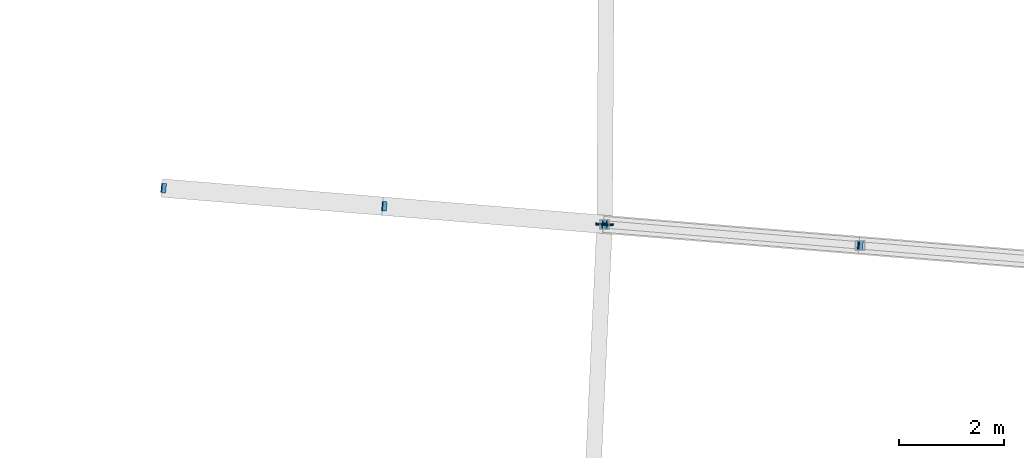
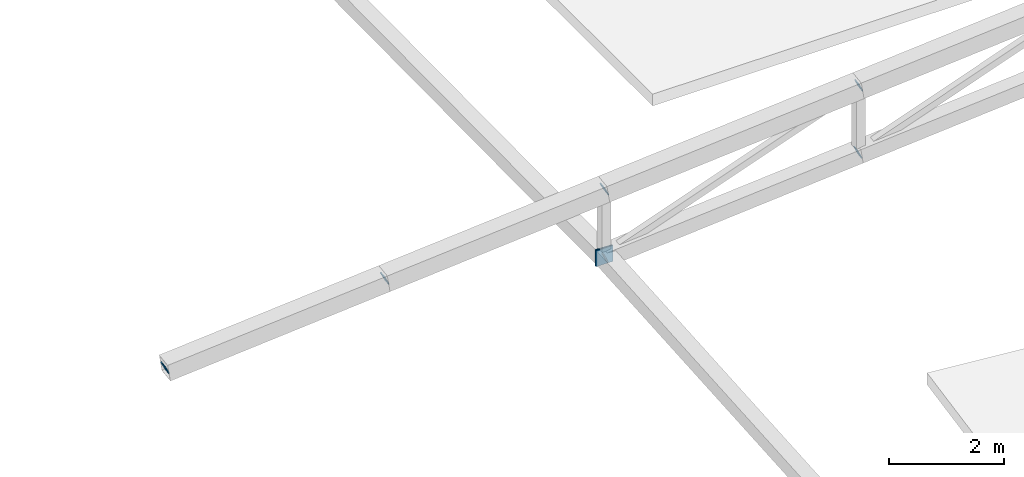
# One storey, part 147 of 188: 8 discrete accessories.
"""IFC4 building model written with IfcOpenShell, lengths in metres."""

from ifc_helpers import new_model, si_unit, direction, frame, origin, origin_2d, place, context, subcontext, project, spatial, rectangle, extrude, material, material_profile, profile_set, type_object, element, save


model = new_model("IFC4")

# Units and contexts
model_context = context("Model", 3, precision=1e-05, world=origin(), true_north=direction((0.0, 1.0)))
body_context = subcontext(model_context, "Body", "Model", "MODEL_VIEW")
ifc_project = project(units=[si_unit("LENGTHUNIT", "METRE"), si_unit("AREAUNIT", "SQUARE_METRE"), si_unit("VOLUMEUNIT", "CUBIC_METRE"), si_unit("PLANEANGLEUNIT", "RADIAN"), si_unit("MASSUNIT", "GRAM", prefix="KILO")], contexts=[model_context])

# Site, building, storey
site_placement = place(None, origin())
site = spatial("IfcSite", under=ifc_project, at=site_placement, CompositionType="ELEMENT")
building_placement = place(site_placement, origin())
building = spatial("IfcBuilding", under=site, at=building_placement, Name="Meseta Stadium", CompositionType="ELEMENT")
storey_placement = place(building_placement, frame((0.0, 0.0, 30.0)))
storey = spatial("IfcBuildingStorey", under=building, at=storey_placement, Name="ROOF", CompositionType="ELEMENT", Elevation=30.0)

# Discrete accessories
ifc_material_1 = material(Name="Steel S355", Category="steel")
ifc_material_profile_1 = material_profile(ifc_material_1, rectangle(XDim=0.179931640625, YDim=0.179931640625, at=origin_2d()), Name="PL 180x180")
ifc_profile_set_1 = profile_set([ifc_material_profile_1], Name="Steel S355")
discrete_accessory_type_1 = type_object("IfcDiscreteAccessoryType", Name="End plate 180x180x20", PredefinedType="ANCHORPLATE", material=ifc_profile_set_1)
discrete_accessory_1_placement = place(storey_placement, frame((76.43798828125, -42.25634765625, 0.93896484375), z_axis=(0.895999350744, -0.084756695341, 0.435891576038), x_axis=(0.094174191159, 0.995555735115, 0.0)))
element("IfcDiscreteAccessory", 1, at=discrete_accessory_1_placement, inside=storey, type_object=discrete_accessory_type_1, Name="End plate of ROOF TRUSS RT-01 diagonal", PredefinedType="ANCHORPLATE", context=body_context, shape_type="SweptSolid", body=[
    extrude(rectangle(XDim=0.179931640625, YDim=0.179931640625, at=origin_2d()), origin(), (0.0, 0.0, 1.0), 0.020263671875),
])
discrete_accessory_2_placement = place(storey_placement, frame((80.64599609375, -42.6025390625, 1.572509765625), z_axis=(0.901567911708, -0.073100100949, 0.426417255537), x_axis=(0.080815868766, 0.996729048115, 0.0)))
element("IfcDiscreteAccessory", 2, at=discrete_accessory_2_placement, inside=storey, type_object=discrete_accessory_type_1, Name="End plate of ROOF TRUSS RT-01 diagonal", PredefinedType="ANCHORPLATE", context=body_context, shape_type="SweptSolid", body=[
    extrude(rectangle(XDim=0.179931640625, YDim=0.179931640625, at=origin_2d()), origin(), (0.0, 0.0, 1.0), 0.02001953125),
])
discrete_accessory_3_placement = place(storey_placement, frame((84.85400390625, -42.948486328125, 2.205810546875), z_axis=(0.896854406293, -0.072717924835, 0.436307549007), x_axis=(0.080815868766, 0.996729048115, 0.0)))
element("IfcDiscreteAccessory", 3, at=discrete_accessory_3_placement, inside=storey, type_object=discrete_accessory_type_1, Name="End plate of ROOF TRUSS RT-01 diagonal", PredefinedType="ANCHORPLATE", context=body_context, shape_type="SweptSolid", body=[
    extrude(rectangle(XDim=0.179931640625, YDim=0.179931640625, at=origin_2d()), origin(), (0.0, 0.0, 1.0), 0.020263671875),
])
for number, where, z_axis, x_axis, name in (
    (4, (84.835693359375, -42.947021484375, 0.7919921875), (0.912870929175, -0.073029674334, 0.401663208837), (0.079745222283, 0.996815278536, 0.0), "End plate of ROOF TRUSS RT-01 diagonal"),
    (5, (89.72705078125, -43.349365234375, 2.939453125), (0.912870929175, -0.073029674334, 0.401663208837), (0.079745222283, 0.996815278536, 0.0), "End plate of ROOF TRUSS RT-01 diagonal"),
    (6, (89.708740234375, -43.34765625, 1.525634765625), (0.911993136001, -0.08511935936, 0.40127697984), (0.092929451602, 0.995672695731, 0.0), "End plate of ROOF TRUSS RT-01 diagonal"),
):
    element("IfcDiscreteAccessory", number, at=place(storey_placement, frame(where, z_axis=z_axis, x_axis=x_axis)), inside=storey, type_object=discrete_accessory_type_1, Name=name, PredefinedType="ANCHORPLATE", context=body_context, shape_type="SweptSolid", body=[
        extrude(rectangle(XDim=0.179931640625, YDim=0.179931640625, at=origin_2d()), origin(), (0.0, 0.0, 1.0), 0.02001953125),
    ])
ifc_material_2 = material(Name="Steel S355", Category="steel")
ifc_material_profile_2 = material_profile(ifc_material_2, rectangle(XDim=0.340087890625, YDim=0.340087890625, at=origin_2d()), Name="PL 340x340")
ifc_profile_set_2 = profile_set([ifc_material_profile_2], Name="Steel S355")
discrete_accessory_type_2 = type_object("IfcDiscreteAccessoryType", Name="End plate 340x340x20", PredefinedType="ANCHORPLATE", material=ifc_profile_set_2)
for number, where, z_axis, x_axis, name in (
    (7, (84.85400390625, -42.948486328125, 0.800048828125), (0.048722553713, 0.998812351125, 0.0), (-0.998812351125, 0.048722553713, 0.0), "End plate of ROOF PIVOT STRUT RT-00/01"),
    (8, (84.853759765625, -42.968505859375, 0.800048828125), (0.012194215217, 0.999925647793, 0.0), (-0.999925647793, 0.012194215217, 0.0), "End plate of ROOF PIVOT STRUT RT-01/02"),
):
    element("IfcDiscreteAccessory", number, at=place(storey_placement, frame(where, z_axis=z_axis, x_axis=x_axis)), inside=storey, type_object=discrete_accessory_type_2, Name=name, PredefinedType="ANCHORPLATE", context=body_context, shape_type="SweptSolid", body=[
        extrude(rectangle(XDim=0.340087890625, YDim=0.340087890625, at=origin_2d()), origin(), (0.0, 0.0, 1.0), 0.02001953125),
    ])

save(model, "model.ifc")
